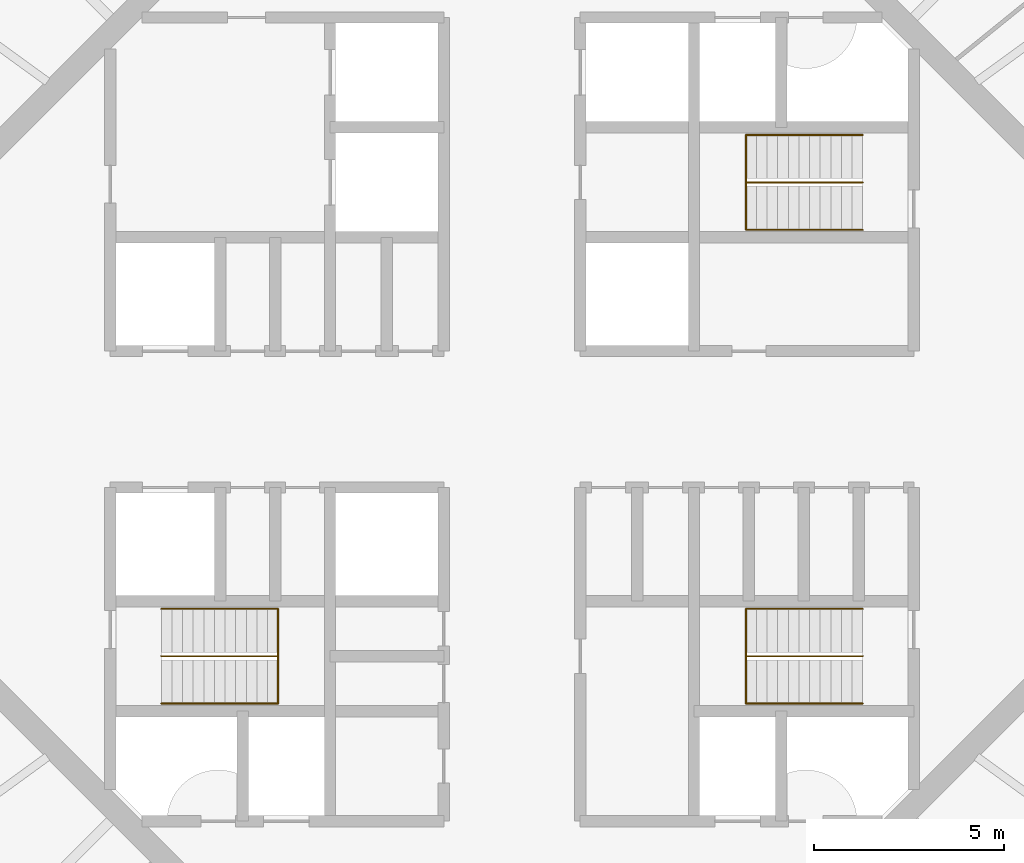
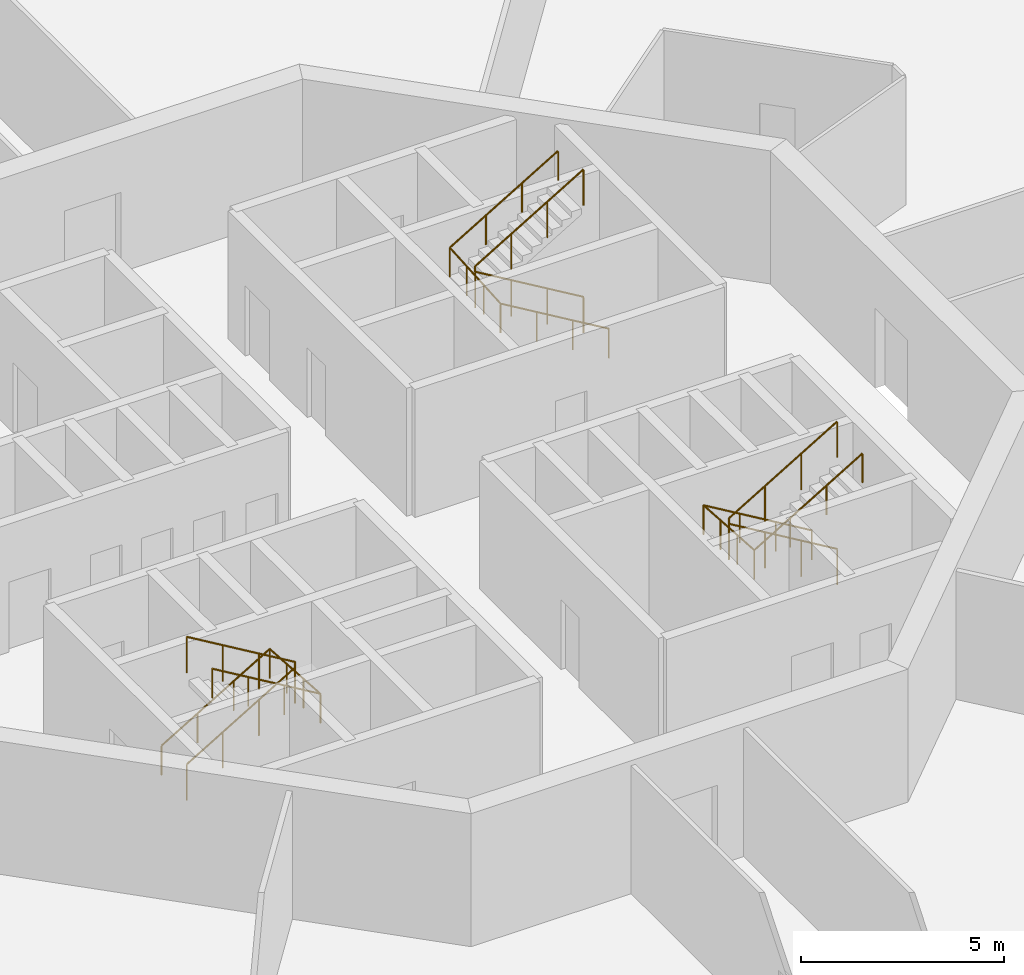
# One storey, part 18 of 18: 6 railings.
"""IFC4 building model written with IfcOpenShell, lengths in metres."""

from ifc_helpers import new_model, si_unit, direction, frame, origin, origin_2d, place, context, subcontext, project, spatial, circle, extrude, material, type_object, element, save


model = new_model("IFC4")

# Units and contexts
model_context = context("Model", 3, precision=1e-05, world=origin(), true_north=direction((0.0, 1.0)))
body_context = subcontext(model_context, "Body", "Model", "MODEL_VIEW")
ifc_project = project(units=[si_unit("LENGTHUNIT", "METRE"), si_unit("AREAUNIT", "SQUARE_METRE"), si_unit("VOLUMEUNIT", "CUBIC_METRE"), si_unit("PLANEANGLEUNIT", "RADIAN"), si_unit("MASSUNIT", "GRAM", prefix="KILO")], contexts=[model_context])

# Site, building, storey
site_placement = place(None, origin())
site = spatial("IfcSite", under=ifc_project, at=site_placement, CompositionType="ELEMENT")
building_placement = place(site_placement, origin())
building = spatial("IfcBuilding", under=site, at=building_placement, Name="Entoto Ring Tower", CompositionType="ELEMENT")
storey_placement = place(building_placement, frame((0.0, 0.0, 388.0)))
storey = spatial("IfcBuildingStorey", under=building, at=storey_placement, Name="L90", CompositionType="ELEMENT", Elevation=388.0)

# Railings
ifc_material_1 = material(Name="Steel S275", Category="steel")
railing_type_1 = type_object("IfcRailingType", Name="Stair guard 1100 mm steel", PredefinedType="GUARDRAIL", material=ifc_material_1)
railing_1_placement = place(storey_placement, frame((99.25, 86.25, 0.166748046875)))
element("IfcRailing", 1, at=railing_1_placement, inside=storey, type_object=railing_type_1, Name="Guard ST1", PredefinedType="GUARDRAIL", context=body_context, shape_type="SweptSolid", body=[
    extrude(circle(Radius=0.02392578125, at=origin_2d()), frame((0.0, 0.0, 1.076171875), z_axis=(-0.859308565015, 0.0, 0.511457515432), x_axis=(0.0, -1.0, 0.0)), (0.0, 0.0, 1.0), 3.58447265625),
    extrude(circle(Radius=0.02392578125, at=origin_2d()), frame((-3.080078125, 0.0, 2.9091796875), z_axis=(0.0, 0.0, 1.0), x_axis=(1.0, 0.0, 0.0)), (0.0, 0.0, 1.0), 0.166748046875),
    extrude(circle(Radius=0.02392578125, at=origin_2d()), frame((-3.080078125, 0.0, 3.076171875), z_axis=(0.859308565015, 0.0, 0.511457515432), x_axis=(0.0, 1.0, 0.0)), (0.0, 0.0, 1.0), 3.58447265625),
    extrude(circle(Radius=0.02099609375, at=origin_2d()), origin(), (0.0, 0.0, 1.0), 1.052001953125),
    extrude(circle(Radius=0.02099609375, at=origin_2d()), frame((-1.026611328125, 0.0, 0.611083984375)), (0.0, 0.0, 1.0), 1.052001953125),
    extrude(circle(Radius=0.02099609375, at=origin_2d()), frame((-2.053466796875, 0.0, 1.22216796875)), (0.0, 0.0, 1.0), 1.052001953125),
    extrude(circle(Radius=0.02099609375, at=origin_2d()), frame((-3.080078125, 0.0, 1.833251953125)), (0.0, 0.0, 1.0), 1.052001953125),
    extrude(circle(Radius=0.02099609375, at=origin_2d()), frame((-3.080078125, 0.0, 2.0)), (0.0, 0.0, 1.0), 1.052001953125),
    extrude(circle(Radius=0.02099609375, at=origin_2d()), frame((-2.053466796875, 0.0, 2.611083984375)), (0.0, 0.0, 1.0), 1.052001953125),
    extrude(circle(Radius=0.02099609375, at=origin_2d()), frame((-1.026611328125, 0.0, 3.22216796875)), (0.0, 0.0, 1.0), 1.052001953125),
    extrude(circle(Radius=0.02099609375, at=origin_2d()), frame((0.0, 0.0, 3.833251953125)), (0.0, 0.0, 1.0), 1.052001953125),
])
railing_2_placement = place(storey_placement, frame((80.75, 73.75, 0.166748046875)))
element("IfcRailing", 2, at=railing_2_placement, inside=storey, type_object=railing_type_1, Name="Guard ST2", PredefinedType="GUARDRAIL", context=body_context, shape_type="SweptSolid", body=[
    extrude(circle(Radius=0.02392578125, at=origin_2d()), frame((0.0, 0.0, 1.076171875), z_axis=(0.859308565015, 0.0, 0.511457515432), x_axis=(0.0, 1.0, 0.0)), (0.0, 0.0, 1.0), 3.58447265625),
    extrude(circle(Radius=0.02392578125, at=origin_2d()), frame((3.080078125, 0.0, 2.9091796875), z_axis=(0.0, 0.0, 1.0), x_axis=(1.0, 0.0, 0.0)), (0.0, 0.0, 1.0), 0.166748046875),
    extrude(circle(Radius=0.02392578125, at=origin_2d()), frame((3.080078125, 0.0, 3.076171875), z_axis=(-0.859308565015, 0.0, 0.511457515432), x_axis=(0.0, -1.0, 0.0)), (0.0, 0.0, 1.0), 3.58447265625),
    extrude(circle(Radius=0.02099609375, at=origin_2d()), origin(), (0.0, 0.0, 1.0), 1.052001953125),
    extrude(circle(Radius=0.02099609375, at=origin_2d()), frame((1.026611328125, 0.0, 0.611083984375)), (0.0, 0.0, 1.0), 1.052001953125),
    extrude(circle(Radius=0.02099609375, at=origin_2d()), frame((2.053466796875, 0.0, 1.22216796875)), (0.0, 0.0, 1.0), 1.052001953125),
    extrude(circle(Radius=0.02099609375, at=origin_2d()), frame((3.080078125, 0.0, 1.833251953125)), (0.0, 0.0, 1.0), 1.052001953125),
    extrude(circle(Radius=0.02099609375, at=origin_2d()), frame((3.080078125, 0.0, 2.0)), (0.0, 0.0, 1.0), 1.052001953125),
    extrude(circle(Radius=0.02099609375, at=origin_2d()), frame((2.053466796875, 0.0, 2.611083984375)), (0.0, 0.0, 1.0), 1.052001953125),
    extrude(circle(Radius=0.02099609375, at=origin_2d()), frame((1.026611328125, 0.0, 3.22216796875)), (0.0, 0.0, 1.0), 1.052001953125),
    extrude(circle(Radius=0.02099609375, at=origin_2d()), frame((0.0, 0.0, 3.833251953125)), (0.0, 0.0, 1.0), 1.052001953125),
])
railing_3_placement = place(storey_placement, frame((99.25, 73.75, 0.166748046875)))
element("IfcRailing", 3, at=railing_3_placement, inside=storey, type_object=railing_type_1, Name="Guard ST3", PredefinedType="GUARDRAIL", context=body_context, shape_type="SweptSolid", body=[
    extrude(circle(Radius=0.02392578125, at=origin_2d()), frame((0.0, 0.0, 1.076171875), z_axis=(-0.859308565015, 0.0, 0.511457515432), x_axis=(0.0, -1.0, 0.0)), (0.0, 0.0, 1.0), 3.58447265625),
    extrude(circle(Radius=0.02392578125, at=origin_2d()), frame((-3.080078125, 0.0, 2.9091796875), z_axis=(0.0, 0.0, 1.0), x_axis=(1.0, 0.0, 0.0)), (0.0, 0.0, 1.0), 0.166748046875),
    extrude(circle(Radius=0.02392578125, at=origin_2d()), frame((-3.080078125, 0.0, 3.076171875), z_axis=(0.859308565015, 0.0, 0.511457515432), x_axis=(0.0, 1.0, 0.0)), (0.0, 0.0, 1.0), 3.58447265625),
    extrude(circle(Radius=0.02099609375, at=origin_2d()), origin(), (0.0, 0.0, 1.0), 1.052001953125),
    extrude(circle(Radius=0.02099609375, at=origin_2d()), frame((-1.026611328125, 0.0, 0.611083984375)), (0.0, 0.0, 1.0), 1.052001953125),
    extrude(circle(Radius=0.02099609375, at=origin_2d()), frame((-2.053466796875, 0.0, 1.22216796875)), (0.0, 0.0, 1.0), 1.052001953125),
    extrude(circle(Radius=0.02099609375, at=origin_2d()), frame((-3.080078125, 0.0, 1.833251953125)), (0.0, 0.0, 1.0), 1.052001953125),
    extrude(circle(Radius=0.02099609375, at=origin_2d()), frame((-3.080078125, 0.0, 2.0)), (0.0, 0.0, 1.0), 1.052001953125),
    extrude(circle(Radius=0.02099609375, at=origin_2d()), frame((-2.053466796875, 0.0, 2.611083984375)), (0.0, 0.0, 1.0), 1.052001953125),
    extrude(circle(Radius=0.02099609375, at=origin_2d()), frame((-1.026611328125, 0.0, 3.22216796875)), (0.0, 0.0, 1.0), 1.052001953125),
    extrude(circle(Radius=0.02099609375, at=origin_2d()), frame((0.0, 0.0, 3.833251953125)), (0.0, 0.0, 1.0), 1.052001953125),
])
ifc_material_2 = material(Name="Steel S275", Category="steel")
railing_type_2 = type_object("IfcRailingType", Name="Stair handrail 900 mm steel", PredefinedType="HANDRAIL", material=ifc_material_2)
railing_4_placement = place(storey_placement, frame((99.25, 85.0, 0.166748046875)))
element("IfcRailing", 4, at=railing_4_placement, inside=storey, type_object=railing_type_2, Name="Handrail ST1", PredefinedType="HANDRAIL", context=body_context, shape_type="SweptSolid", body=[
    extrude(circle(Radius=0.02392578125, at=origin_2d()), frame((0.0, 0.0, 0.8759765625), z_axis=(-0.859308565015, 0.0, 0.511457515432), x_axis=(0.0, -1.0, 0.0)), (0.0, 0.0, 1.0), 3.58447265625),
    extrude(circle(Radius=0.02392578125, at=origin_2d()), frame((-3.080078125, 0.0, 2.708984375), z_axis=(0.0, 0.997783001586, 0.066551346688), x_axis=(-1.0, 0.0, 0.0)), (0.0, 0.0, 1.0), 2.505615234375),
    extrude(circle(Radius=0.02392578125, at=origin_2d()), frame((-3.080078125, 2.5, 2.8759765625), z_axis=(0.859308565015, 0.0, 0.511457515432), x_axis=(0.0, 1.0, 0.0)), (0.0, 0.0, 1.0), 3.58447265625),
    extrude(circle(Radius=0.02099609375, at=origin_2d()), origin(), (0.0, 0.0, 1.0), 0.851806640625),
    extrude(circle(Radius=0.02099609375, at=origin_2d()), frame((-1.026611328125, 0.0, 0.611083984375)), (0.0, 0.0, 1.0), 0.851806640625),
    extrude(circle(Radius=0.02099609375, at=origin_2d()), frame((-2.053466796875, 0.0, 1.22216796875)), (0.0, 0.0, 1.0), 0.851806640625),
    extrude(circle(Radius=0.02099609375, at=origin_2d()), frame((-3.080078125, 0.0, 1.833251953125)), (0.0, 0.0, 1.0), 0.851806640625),
    extrude(circle(Radius=0.02099609375, at=origin_2d()), frame((-3.080078125, 0.833251953125, 1.888916015625)), (0.0, 0.0, 1.0), 0.851806640625),
    extrude(circle(Radius=0.02099609375, at=origin_2d()), frame((-3.080078125, 1.666748046875, 1.9443359375)), (0.0, 0.0, 1.0), 0.851806640625),
    extrude(circle(Radius=0.02099609375, at=origin_2d()), frame((-3.080078125, 2.5, 2.0)), (0.0, 0.0, 1.0), 0.851806640625),
    extrude(circle(Radius=0.02099609375, at=origin_2d()), frame((-2.053466796875, 2.5, 2.611083984375)), (0.0, 0.0, 1.0), 0.851806640625),
    extrude(circle(Radius=0.02099609375, at=origin_2d()), frame((-1.026611328125, 2.5, 3.22216796875)), (0.0, 0.0, 1.0), 0.851806640625),
    extrude(circle(Radius=0.02099609375, at=origin_2d()), frame((0.0, 2.5, 3.833251953125)), (0.0, 0.0, 1.0), 0.851806640625),
])
railing_5_placement = place(storey_placement, frame((80.75, 75.0, 0.166748046875)))
element("IfcRailing", 5, at=railing_5_placement, inside=storey, type_object=railing_type_2, Name="Handrail ST2", PredefinedType="HANDRAIL", context=body_context, shape_type="SweptSolid", body=[
    extrude(circle(Radius=0.02392578125, at=origin_2d()), frame((0.0, 0.0, 0.8759765625), z_axis=(0.859308565015, 0.0, 0.511457515432), x_axis=(0.0, 1.0, 0.0)), (0.0, 0.0, 1.0), 3.58447265625),
    extrude(circle(Radius=0.02392578125, at=origin_2d()), frame((3.080078125, 0.0, 2.708984375), z_axis=(0.0, -0.997783001586, 0.066551346688), x_axis=(1.0, 0.0, 0.0)), (0.0, 0.0, 1.0), 2.505615234375),
    extrude(circle(Radius=0.02392578125, at=origin_2d()), frame((3.080078125, -2.5, 2.8759765625), z_axis=(-0.859308565015, 0.0, 0.511457515432), x_axis=(0.0, -1.0, 0.0)), (0.0, 0.0, 1.0), 3.58447265625),
    extrude(circle(Radius=0.02099609375, at=origin_2d()), origin(), (0.0, 0.0, 1.0), 0.851806640625),
    extrude(circle(Radius=0.02099609375, at=origin_2d()), frame((1.026611328125, 0.0, 0.611083984375)), (0.0, 0.0, 1.0), 0.851806640625),
    extrude(circle(Radius=0.02099609375, at=origin_2d()), frame((2.053466796875, 0.0, 1.22216796875)), (0.0, 0.0, 1.0), 0.851806640625),
    extrude(circle(Radius=0.02099609375, at=origin_2d()), frame((3.080078125, 0.0, 1.833251953125)), (0.0, 0.0, 1.0), 0.851806640625),
    extrude(circle(Radius=0.02099609375, at=origin_2d()), frame((3.080078125, -0.833251953125, 1.888916015625)), (0.0, 0.0, 1.0), 0.851806640625),
    extrude(circle(Radius=0.02099609375, at=origin_2d()), frame((3.080078125, -1.666748046875, 1.9443359375)), (0.0, 0.0, 1.0), 0.851806640625),
    extrude(circle(Radius=0.02099609375, at=origin_2d()), frame((3.080078125, -2.5, 2.0)), (0.0, 0.0, 1.0), 0.851806640625),
    extrude(circle(Radius=0.02099609375, at=origin_2d()), frame((2.053466796875, -2.5, 2.611083984375)), (0.0, 0.0, 1.0), 0.851806640625),
    extrude(circle(Radius=0.02099609375, at=origin_2d()), frame((1.026611328125, -2.5, 3.22216796875)), (0.0, 0.0, 1.0), 0.851806640625),
    extrude(circle(Radius=0.02099609375, at=origin_2d()), frame((0.0, -2.5, 3.833251953125)), (0.0, 0.0, 1.0), 0.851806640625),
])
railing_6_placement = place(storey_placement, frame((99.25, 75.0, 0.166748046875)))
element("IfcRailing", 6, at=railing_6_placement, inside=storey, type_object=railing_type_2, Name="Handrail ST3", PredefinedType="HANDRAIL", context=body_context, shape_type="SweptSolid", body=[
    extrude(circle(Radius=0.02392578125, at=origin_2d()), frame((0.0, 0.0, 0.8759765625), z_axis=(-0.859308565015, 0.0, 0.511457515432), x_axis=(0.0, -1.0, 0.0)), (0.0, 0.0, 1.0), 3.58447265625),
    extrude(circle(Radius=0.02392578125, at=origin_2d()), frame((-3.080078125, 0.0, 2.708984375), z_axis=(0.0, -0.997783001586, 0.066551346688), x_axis=(1.0, 0.0, 0.0)), (0.0, 0.0, 1.0), 2.505615234375),
    extrude(circle(Radius=0.02392578125, at=origin_2d()), frame((-3.080078125, -2.5, 2.8759765625), z_axis=(0.859308565015, 0.0, 0.511457515432), x_axis=(0.0, 1.0, 0.0)), (0.0, 0.0, 1.0), 3.58447265625),
    extrude(circle(Radius=0.02099609375, at=origin_2d()), origin(), (0.0, 0.0, 1.0), 0.851806640625),
    extrude(circle(Radius=0.02099609375, at=origin_2d()), frame((-1.026611328125, 0.0, 0.611083984375)), (0.0, 0.0, 1.0), 0.851806640625),
    extrude(circle(Radius=0.02099609375, at=origin_2d()), frame((-2.053466796875, 0.0, 1.22216796875)), (0.0, 0.0, 1.0), 0.851806640625),
    extrude(circle(Radius=0.02099609375, at=origin_2d()), frame((-3.080078125, 0.0, 1.833251953125)), (0.0, 0.0, 1.0), 0.851806640625),
    extrude(circle(Radius=0.02099609375, at=origin_2d()), frame((-3.080078125, -0.833251953125, 1.888916015625)), (0.0, 0.0, 1.0), 0.851806640625),
    extrude(circle(Radius=0.02099609375, at=origin_2d()), frame((-3.080078125, -1.666748046875, 1.9443359375)), (0.0, 0.0, 1.0), 0.851806640625),
    extrude(circle(Radius=0.02099609375, at=origin_2d()), frame((-3.080078125, -2.5, 2.0)), (0.0, 0.0, 1.0), 0.851806640625),
    extrude(circle(Radius=0.02099609375, at=origin_2d()), frame((-2.053466796875, -2.5, 2.611083984375)), (0.0, 0.0, 1.0), 0.851806640625),
    extrude(circle(Radius=0.02099609375, at=origin_2d()), frame((-1.026611328125, -2.5, 3.22216796875)), (0.0, 0.0, 1.0), 0.851806640625),
    extrude(circle(Radius=0.02099609375, at=origin_2d()), frame((0.0, -2.5, 3.833251953125)), (0.0, 0.0, 1.0), 0.851806640625),
])

save(model, "model.ifc")
